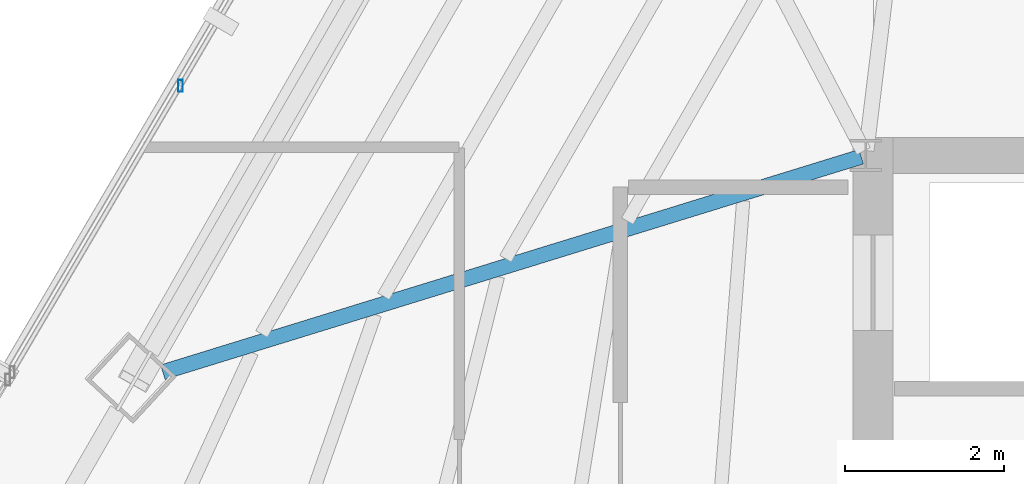
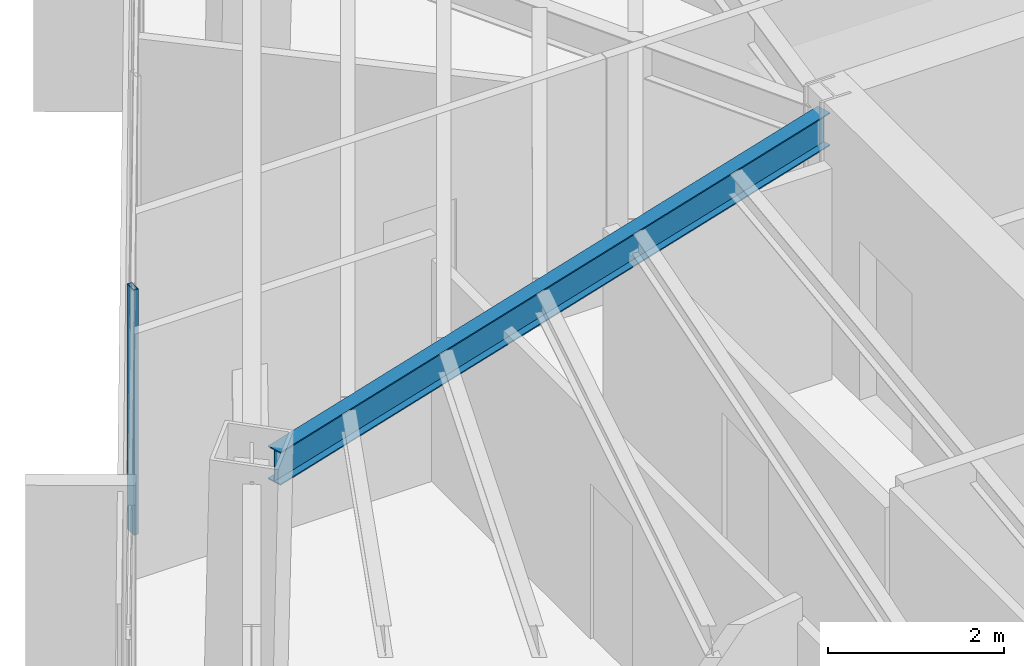
# One storey, part 15 of 42: 1 beam, 1 member, 1 element without a shape of its own.
"""IFC4 building model written with IfcOpenShell, lengths in metres."""

import ifcopenshell
import ifcopenshell.guid

model = None  # the IFC model being written
_history = None  # IfcOwnerHistory: only IFC2X3 demands one
_inside = {}  # id of a spatial element -> (the spatial element, [elements in it])
_under = {}  # id of a project, library or spatial element -> (it, [spatial elements below it])
_declared = {}  # id of a project -> (the project, [libraries it declares])
_typed = {}  # id of a type object -> (the type object, [elements of that type])
_made_of = {}  # id of a material, layer set ... -> (it, [elements and type objects made of it])


def new_model(schema):
    """Start an empty IFC model of exactly this schema.

    Asked for "IFC4X3", IfcOpenShell would pick the latest addendum, in which some entities
    have other attributes; the version numbers below select the first issue.
    IFC2X3 requires an IfcOwnerHistory on every rooted entity: one is made here for all.
    """
    global model, _history
    if schema == "IFC4X3":
        model = ifcopenshell.file(schema_version=(4, 3, 0, 0))
    else:
        model = ifcopenshell.file(schema=schema)
    _inside.clear()
    _under.clear()
    _declared.clear()
    _typed.clear()
    _made_of.clear()
    _history = None
    if model.schema == "IFC2X3":
        org = make("IfcOrganization", Name="unknown")
        user = make(
            "IfcPersonAndOrganization",
            ThePerson=make("IfcPerson", FamilyName="unknown"),
            TheOrganization=org,
        )
        app = make(
            "IfcApplication",
            ApplicationDeveloper=org,
            Version="unknown",
            ApplicationFullName="unknown",
            ApplicationIdentifier="unknown",
        )
        _history = make(
            "IfcOwnerHistory",
            OwningUser=user,
            OwningApplication=app,
            ChangeAction="ADDED",
            CreationDate=0,
        )
    return model


def make(cls, **values):
    """One entity of the class cls with the attributes given. An attribute that is None is left unset."""
    return model.create_entity(
        cls, **{name: value for name, value in values.items() if value is not None}
    )


def rooted(cls, **values):
    """An entity with a GlobalId (a new one), such as an element, a storey or a relation."""
    return make(cls, GlobalId=ifcopenshell.guid.new(), OwnerHistory=_history, **values)


def si_unit(unit_type, name, prefix=None):
    """IfcSIUnit, for example si_unit("LENGTHUNIT", "METRE", prefix="MILLI")."""
    return make("IfcSIUnit", UnitType=unit_type, Prefix=prefix, Name=name)


def assignment(units):
    """IfcUnitAssignment: the units of a project."""
    return None if units is None else make("IfcUnitAssignment", Units=units)


def point(xyz):
    """IfcCartesianPoint."""
    return None if xyz is None else make("IfcCartesianPoint", Coordinates=xyz)


def direction(xyz):
    """IfcDirection."""
    return None if xyz is None else make("IfcDirection", DirectionRatios=xyz)


def frame(location, z_axis=None, x_axis=None):
    """IfcAxis2Placement3D, a coordinate frame: its origin and axes. An axis left out is left unset."""
    return make(
        "IfcAxis2Placement3D",
        Location=point(location),
        Axis=direction(z_axis),
        RefDirection=direction(x_axis),
    )


def frame_2d(location, x_axis=None):
    """IfcAxis2Placement2D, a coordinate frame in the plane: its origin and x axis."""
    return make(
        "IfcAxis2Placement2D", Location=point(location), RefDirection=direction(x_axis)
    )


def origin():
    """The frame at (0, 0, 0) with its axes left unset."""
    return frame((0.0, 0.0, 0.0))


def origin_2d():
    """The frame at (0, 0) in the plane with its x axis left unset."""
    return frame_2d((0.0, 0.0))


def place(relative_to, where):
    """IfcLocalPlacement: puts the frame where relative to a parent placement (None: the world)."""
    return make(
        "IfcLocalPlacement", PlacementRelTo=relative_to, RelativePlacement=where
    )


def context(
    kind, dimensions, precision=None, world=None, true_north=None, identifier=None
):
    """IfcGeometricRepresentationContext, for example the 3D "Model" context."""
    return make(
        "IfcGeometricRepresentationContext",
        ContextIdentifier=identifier,
        ContextType=kind,
        CoordinateSpaceDimension=dimensions,
        Precision=precision,
        WorldCoordinateSystem=world,
        TrueNorth=true_north,
    )


def subcontext(parent, identifier, kind, view, scale=None):
    """IfcGeometricRepresentationSubContext, for example "Body" below "Model"."""
    return make(
        "IfcGeometricRepresentationSubContext",
        ContextIdentifier=identifier,
        ContextType=kind,
        ParentContext=parent,
        TargetScale=scale,
        TargetView=view,
    )


def project(units=None, contexts=None):
    """IfcProject with its units and contexts."""
    return rooted(
        "IfcProject",
        Name="project",
        RepresentationContexts=contexts,
        UnitsInContext=assignment(units),
    )


def spatial(cls, under=None, at=None, **own):
    """A site, building, storey or space (cls), placed at a placement, below another one or the project."""
    s = rooted(cls, ObjectPlacement=at, **own)
    if under is not None:
        _under.setdefault(under.id(), (under, []))[1].append(s)
    return s


def profile(cls, at=None, kind="AREA", **sizes):
    """A parametric profile (cls). Its sizes go by their IFC names, for example OverallWidth=200.0."""
    return make(cls, ProfileType=kind, Position=at, **sizes)


def hollow_rectangle(**sizes):
    """IfcRectangleHollowProfileDef."""
    return profile("IfcRectangleHollowProfileDef", **sizes)


def i_section(**sizes):
    """IfcIShapeProfileDef."""
    return profile("IfcIShapeProfileDef", **sizes)


def extrude(swept, where, along, depth):
    """IfcExtrudedAreaSolid: the profile swept, set in the frame where, extruded along a direction by depth."""
    return make(
        "IfcExtrudedAreaSolid",
        SweptArea=swept,
        Position=where,
        ExtrudedDirection=direction(along),
        Depth=depth,
    )


def shape(context_of_items, identifier, shape_type, items):
    """IfcShapeRepresentation: the items that make up one representation, for example the "Body"."""
    return make(
        "IfcShapeRepresentation",
        ContextOfItems=context_of_items,
        RepresentationIdentifier=identifier,
        RepresentationType=shape_type,
        Items=items,
    )


def source(mapping_origin, context_of_items, identifier, shape_type, items):
    """IfcRepresentationMap: a shape defined once, which mapped items show again and again."""
    return make(
        "IfcRepresentationMap",
        MappingOrigin=mapping_origin,
        MappedRepresentation=shape(context_of_items, identifier, shape_type, items),
    )


def transform(
    local_origin,
    x_axis=None,
    y_axis=None,
    z_axis=None,
    scale=None,
    scale2=None,
    scale3=None,
    uniform=True,
):
    """IfcCartesianTransformationOperator3D, or its non-uniform kind. x_axis, y_axis, z_axis: its Axis1, 2, 3."""
    if uniform:
        return make(
            "IfcCartesianTransformationOperator3D",
            Axis1=direction(x_axis),
            Axis2=direction(y_axis),
            LocalOrigin=point(local_origin),
            Scale=scale,
            Axis3=direction(z_axis),
        )
    return make(
        "IfcCartesianTransformationOperator3DnonUniform",
        Axis1=direction(x_axis),
        Axis2=direction(y_axis),
        LocalOrigin=point(local_origin),
        Scale=scale,
        Axis3=direction(z_axis),
        Scale2=scale2,
        Scale3=scale3,
    )


def mapped(mapping_source, mapping_target):
    """IfcMappedItem: shows the shape of a source again, moved by a transform."""
    return make(
        "IfcMappedItem", MappingSource=mapping_source, MappingTarget=mapping_target
    )


def material(Name=None, Category=None):
    """IfcMaterial."""
    return make("IfcMaterial", Name=Name, Category=Category)


def material_profile(
    of_material, cross_section, Name=None, Category=None, Priority=None
):
    """IfcMaterialProfile: a cross section and its material."""
    return make(
        "IfcMaterialProfile",
        Name=Name,
        Material=of_material,
        Profile=cross_section,
        Priority=Priority,
        Category=Category,
    )


def profile_set(profiles, Name=None, composite=None):
    """IfcMaterialProfileSet."""
    return make(
        "IfcMaterialProfileSet",
        Name=Name,
        MaterialProfiles=profiles,
        CompositeProfile=composite,
    )


def made_of(thing, what):
    """Note that an element or type object is made of a material, layer set ...; save() writes the relation."""
    if what is not None:
        _made_of.setdefault(what.id(), (what, []))[1].append(thing)
    return thing


def type_object(cls, material=None, **own):
    """A type object (cls), such as IfcWallType, which elements share."""
    return made_of(rooted(cls, **own), material)


def type_shapes(of_type, sources):
    """Give a type object the sources (RepresentationMaps) that its elements show as mapped items."""
    of_type.RepresentationMaps = sources


def element(
    cls,
    number,
    at=None,
    inside=None,
    cuts=None,
    type_object=None,
    material=None,
    context=None,
    identifier="Body",
    shape_type=None,
    held_by="IfcProductDefinitionShape",
    body=None,
    shapes=None,
    **own,
):
    """One element of the class cls, such as IfcWall. Its Tag is "e" and its number.

    at: its placement. inside: the storey or other place that contains it. cuts: it is an
    opening in that element (IfcRelVoidsElement). A single representation is given by context,
    identifier, shape_type and body (its items); several are given by shapes. held_by: the class
    of the entity that holds the representations. save() writes the other relations.
    """
    e = rooted(cls, Tag="e%d" % number, ObjectPlacement=at, **own)
    if body is not None:
        shapes = [shape(context, identifier, shape_type, body)]
    if shapes is not None:
        e.Representation = make(held_by, Representations=shapes)
    if inside is not None:
        _inside.setdefault(inside.id(), (inside, []))[1].append(e)
    if cuts is not None:
        rooted(
            "IfcRelVoidsElement", RelatingBuildingElement=cuts, RelatedOpeningElement=e
        )
    if type_object is not None:
        _typed.setdefault(type_object.id(), (type_object, []))[1].append(e)
    return made_of(e, material)


def aggregate(whole, parts):
    """IfcRelAggregates: a whole, such as a stair, and the parts it consists of."""
    return rooted("IfcRelAggregates", RelatingObject=whole, RelatedObjects=parts)


def save(model, path):
    """Write the relations noted so far, then the file.

    IfcRelAggregates (storeys below a building ...), IfcRelContainedInSpatialStructure (elements
    in a storey), IfcRelDefinesByType, IfcRelAssociatesMaterial and IfcRelDeclares: one each for
    every whole, place, type object, material and project.
    """
    for whole, parts in _under.values():
        aggregate(whole, parts)
    for where, things in _inside.values():
        rooted(
            "IfcRelContainedInSpatialStructure",
            RelatedElements=things,
            RelatingStructure=where,
        )
    for kind, things in _typed.values():
        rooted("IfcRelDefinesByType", RelatedObjects=things, RelatingType=kind)
    for what, things in _made_of.values():
        rooted("IfcRelAssociatesMaterial", RelatedObjects=things, RelatingMaterial=what)
    for by, libraries in _declared.values():
        rooted("IfcRelDeclares", RelatingContext=by, RelatedDefinitions=libraries)
    model.write(path)


model = new_model("IFC4")

# Units and contexts
model_context = context("Model", 3, precision=1e-05, world=origin(), true_north=direction((0.0, 1.0)))
body_context = subcontext(model_context, "Body", "Model", "MODEL_VIEW")
ifc_project = project(units=[si_unit("LENGTHUNIT", "METRE"), si_unit("AREAUNIT", "SQUARE_METRE"), si_unit("VOLUMEUNIT", "CUBIC_METRE"), si_unit("PLANEANGLEUNIT", "RADIAN"), si_unit("MASSUNIT", "GRAM", prefix="KILO")], contexts=[model_context])

# Site, building, storey
site_placement = place(None, origin())
site = spatial("IfcSite", under=ifc_project, at=site_placement, CompositionType="ELEMENT")
building_placement = place(site_placement, origin())
building = spatial("IfcBuilding", under=site, at=building_placement, Name="Caelisora Broadcast Tower", CompositionType="ELEMENT")
storey_placement = place(building_placement, frame((0.0, 0.0, 184.050048828125)))
storey = spatial("IfcBuildingStorey", under=building, at=storey_placement, Name="L48", CompositionType="ELEMENT", Elevation=184.050048828125)

# Beam
ifc_material_1 = material(Name="Steel Grade 350 (AS/NZS 3679.1)", Category="steel")
ifc_material_profile_1 = material_profile(ifc_material_1, i_section(OverallWidth=0.19091796875, OverallDepth=0.46044921875, WebThickness=0.010009765625, FlangeThickness=0.01611328125, at=origin_2d()), Name="Steel Grade 350 (AS/NZS 3679.1)")
ifc_profile_set_1 = profile_set([ifc_material_profile_1], Name="Steel Grade 350 (AS/NZS 3679.1)")
beam_type = type_object("IfcBeamType", Name="PG06", PredefinedType="BEAM", material=ifc_profile_set_1)
shared_shape_1 = source(origin(), body_context, "Body", "SweptSolid", [
    extrude(i_section(OverallWidth=0.19091796875, OverallDepth=0.46044921875, WebThickness=0.010009765625, FlangeThickness=0.01611328125, at=origin_2d()), origin(), (0.0, 0.0, 1.0), 9.17041015625),
])
type_shapes(beam_type, [shared_shape_1])
beam_placement = place(storey_placement, frame((30.442626953125, 29.982421875, 3.169677734375), z_axis=(-0.955554239501, -0.294815358099, 0.0), x_axis=(0.294815358099, -0.955554239501, 0.0)))
element("IfcBeam", 1, at=beam_placement, inside=storey, type_object=beam_type, Name="L48 beam PG06", PredefinedType="BEAM", context=body_context, shape_type="MappedRepresentation", body=[
    mapped(shared_shape_1, transform((0.0, 0.0, 0.0), scale=1.0)),
])

# Curtain wall, member
ifc_material_2 = material(Name="Unitised Aluminium Insulated Shadow-Box Spandrel Curtain Wall", Category="aluminium")
curtain_wall_type = type_object("IfcCurtainWallType", Name="CW-SP2", PredefinedType="NOTDEFINED", material=ifc_material_2)
curtain_wall_placement = place(storey_placement, origin())
curtain_wall = element("IfcCurtainWall", 2, at=curtain_wall_placement, inside=storey, type_object=curtain_wall_type, Name="L48 curtain wall CW-SP2", PredefinedType="NOTDEFINED")
ifc_material_3 = material(Name="Aluminium 6063-T6 Anodised Terracotta Bronze", Category="aluminium")
ifc_material_profile_2 = material_profile(ifc_material_3, hollow_rectangle(XDim=0.06005859375, YDim=0.14990234375, WallThickness=0.00341796875, at=origin_2d()), Name="Aluminium 6063-T6 Anodised Terracotta Bronze")
ifc_profile_set_2 = profile_set([ifc_material_profile_2], Name="Aluminium 6063-T6 Anodised Terracotta Bronze")
member_type = type_object("IfcMemberType", Name="CWM-03", PredefinedType="MULLION", material=ifc_profile_set_2)
shared_shape_2 = source(origin(), body_context, "Body", "SweptSolid", [
    extrude(hollow_rectangle(XDim=0.06005859375, YDim=0.14990234375, WallThickness=0.00341796875, at=origin_2d()), origin(), (0.0, 0.0, 1.0), 3.39990234375),
])
type_shapes(member_type, [shared_shape_2])
member_placement = place(storey_placement, frame((21.900390625, 30.871337890625, 0.0), z_axis=(0.0, 0.0, 1.0), x_axis=(1.0, 0.0, 0.0)))
member = element("IfcMember", 3, at=member_placement, type_object=member_type, Name="L48-CW-B10 mullion #1", PredefinedType="MULLION", context=body_context, shape_type="MappedRepresentation", body=[
    mapped(shared_shape_2, transform((0.0, 0.0, 0.0), scale=1.0)),
])
aggregate(curtain_wall, [member])

save(model, "model.ifc")
